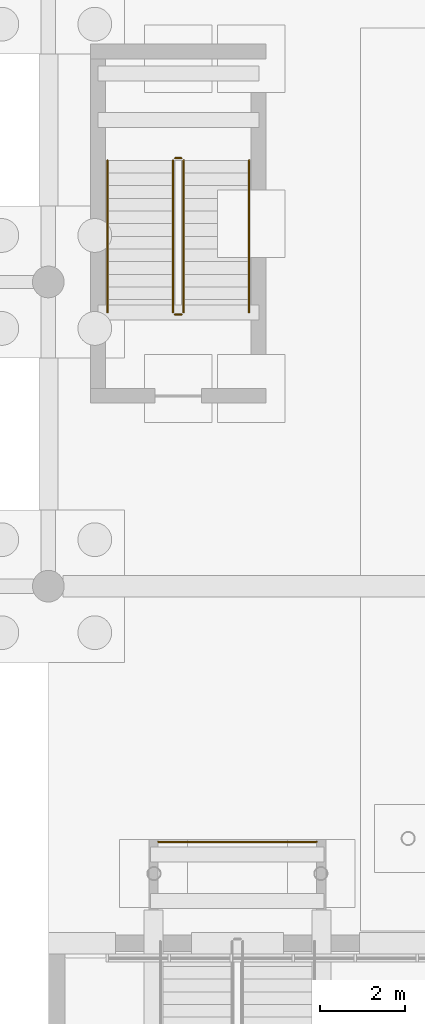
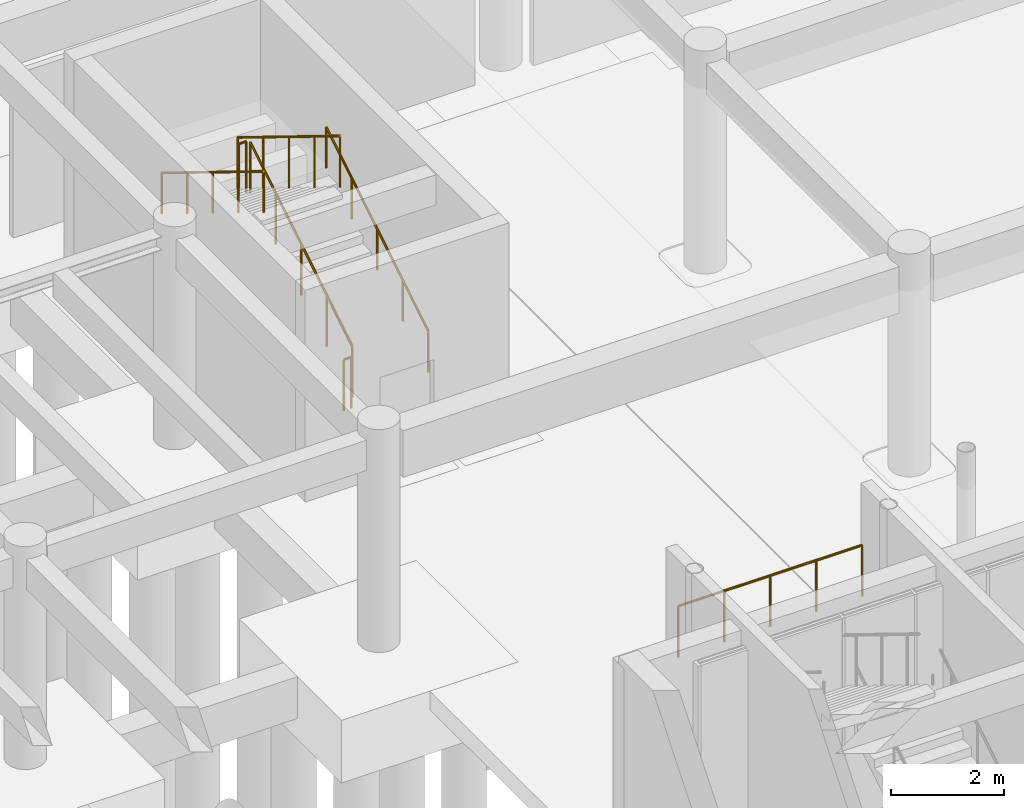
# One storey, part 36 of 46: 7 railings.
"""IFC4 building model written with IfcOpenShell, lengths in metres."""

from ifc_helpers import new_model, si_unit, direction, frame, origin, origin_2d, place, context, subcontext, project, spatial, circle, extrude, material, material_profile, profile_set, type_object, element, save


model = new_model("IFC4")

# Units and contexts
model_context = context("Model", 3, precision=1e-05, world=origin(), true_north=direction((0.0, 1.0)))
body_context = subcontext(model_context, "Body", "Model", "MODEL_VIEW")
ifc_project = project(units=[si_unit("LENGTHUNIT", "METRE"), si_unit("AREAUNIT", "SQUARE_METRE"), si_unit("VOLUMEUNIT", "CUBIC_METRE"), si_unit("PLANEANGLEUNIT", "RADIAN"), si_unit("MASSUNIT", "GRAM", prefix="KILO")], contexts=[model_context])

# Site, building, storey
site_placement = place(None, origin())
site = spatial("IfcSite", under=ifc_project, at=site_placement, CompositionType="ELEMENT")
building_placement = place(site_placement, origin())
building = spatial("IfcBuilding", under=site, at=building_placement, Name="Tazoul Stagehouse", CompositionType="ELEMENT")
storey_placement = place(building_placement, frame((0.0, 0.0, -4.800048828125)))
storey = spatial("IfcBuildingStorey", under=building, at=storey_placement, Name="B1", CompositionType="ELEMENT", Elevation=-4.800048828125)

# Railings
ifc_material = material(Name="Brushed Stainless Steel 316L", Category="steel")
ifc_material_profile_1 = material_profile(ifc_material, circle(Radius=0.02392578125, at=origin_2d()), Name="SS RAIL D48")
ifc_profile_set_1 = profile_set([ifc_material_profile_1], Name="Brushed Stainless Steel 316L")
railing_type_1 = type_object("IfcRailingType", Name="Architectural Guardrail H1120", PredefinedType="GUARDRAIL", material=ifc_profile_set_1)
railing_1_placement = place(storey_placement, frame((60.800048828125, 29.47998046875, 0.1845703125)))
element("IfcRailing", 1, at=railing_1_placement, inside=storey, type_object=railing_type_1, Name="B1 ST-B8 stair guard 1", PredefinedType="GUARDRAIL", context=body_context, shape_type="SweptSolid", body=[
    extrude(circle(Radius=0.02392578125, at=origin_2d()), frame((0.0, 0.0, 1.09619140625), z_axis=(0.0, 0.851644435552, 0.524119981868), x_axis=(-1.0, 0.0, 0.0)), (0.0, 0.0, 1.0), 4.227294921875),
    extrude(circle(Radius=0.02099609375, at=origin_2d()), origin(), (0.0, 0.0, 1.0), 1.072021484375),
    extrude(circle(Radius=0.02099609375, at=origin_2d()), frame((0.0, 0.89990234375, 0.553955078125)), (0.0, 0.0, 1.0), 1.072021484375),
    extrude(circle(Radius=0.02099609375, at=origin_2d()), frame((0.0, 1.800048828125, 1.10791015625)), (0.0, 0.0, 1.0), 1.072021484375),
    extrude(circle(Radius=0.02099609375, at=origin_2d()), frame((0.0, 2.7001953125, 1.66162109375)), (0.0, 0.0, 1.0), 1.072021484375),
    extrude(circle(Radius=0.02099609375, at=origin_2d()), frame((0.0, 3.60009765625, 2.215576171875)), (0.0, 0.0, 1.0), 1.072021484375),
])
railing_2_placement = place(storey_placement, frame((60.75, 33.1298828125, 2.400146484375)))
element("IfcRailing", 2, at=railing_2_placement, inside=storey, type_object=railing_type_1, Name="B1 ST-B8 stair guard 2", PredefinedType="GUARDRAIL", context=body_context, shape_type="SweptSolid", body=[
    extrude(circle(Radius=0.02392578125, at=origin_2d()), frame((0.0, 0.0, 1.09619140625), z_axis=(-1.0, 0.0, 0.0), x_axis=(0.0, -1.0, 0.0)), (0.0, 0.0, 1.0), 0.14990234375),
    extrude(circle(Radius=0.02099609375, at=origin_2d()), origin(), (0.0, 0.0, 1.0), 1.072021484375),
    extrude(circle(Radius=0.02099609375, at=origin_2d()), frame((-0.14990234375, 0.0, 0.0)), (0.0, 0.0, 1.0), 1.072021484375),
])
railing_3_placement = place(storey_placement, frame((60.550048828125, 33.080078125, 2.584716796875)))
element("IfcRailing", 3, at=railing_3_placement, inside=storey, type_object=railing_type_1, Name="B1 ST-B8 stair guard 3", PredefinedType="GUARDRAIL", context=body_context, shape_type="SweptSolid", body=[
    extrude(circle(Radius=0.02392578125, at=origin_2d()), frame((0.0, 0.0, 1.09619140625), z_axis=(0.0, -0.85167021472, 0.524078090897), x_axis=(1.0, 0.0, 0.0)), (0.0, 0.0, 1.0), 4.22705078125),
    extrude(circle(Radius=0.02099609375, at=origin_2d()), origin(), (0.0, 0.0, 1.0), 1.072021484375),
    extrude(circle(Radius=0.02099609375, at=origin_2d()), frame((0.0, -0.89990234375, 0.5537109375)), (0.0, 0.0, 1.0), 1.072021484375),
    extrude(circle(Radius=0.02099609375, at=origin_2d()), frame((0.0, -1.800048828125, 1.107666015625)), (0.0, 0.0, 1.0), 1.072021484375),
    extrude(circle(Radius=0.02099609375, at=origin_2d()), frame((0.0, -2.7001953125, 1.66162109375)), (0.0, 0.0, 1.0), 1.072021484375),
    extrude(circle(Radius=0.02099609375, at=origin_2d()), frame((0.0, -3.60009765625, 2.21533203125)), (0.0, 0.0, 1.0), 1.072021484375),
])
railing_4_placement = place(storey_placement, frame((60.75, 29.429931640625, 0.0)))
element("IfcRailing", 4, at=railing_4_placement, inside=storey, type_object=railing_type_1, Name="B1 ST-B8 stair guard 4", PredefinedType="GUARDRAIL", context=body_context, shape_type="SweptSolid", body=[
    extrude(circle(Radius=0.02392578125, at=origin_2d()), frame((0.0, 0.0, 1.09619140625), z_axis=(-1.0, 0.0, 0.0), x_axis=(0.0, -1.0, 0.0)), (0.0, 0.0, 1.0), 0.14990234375),
    extrude(circle(Radius=0.02099609375, at=origin_2d()), origin(), (0.0, 0.0, 1.0), 1.072021484375),
    extrude(circle(Radius=0.02099609375, at=origin_2d()), frame((-0.14990234375, 0.0, 0.0)), (0.0, 0.0, 1.0), 1.072021484375),
])
railing_5_placement = place(storey_placement, frame((63.949951171875, 16.949951171875, 2.400146484375)))
element("IfcRailing", 5, at=railing_5_placement, inside=storey, type_object=railing_type_1, Name="B1 ST-AMP-W stair guard 3", PredefinedType="GUARDRAIL", context=body_context, shape_type="SweptSolid", body=[
    extrude(circle(Radius=0.02392578125, at=origin_2d()), frame((0.0, 0.0, 1.09619140625), z_axis=(-1.0, 0.0, 0.0), x_axis=(0.0, -1.0, 0.0)), (0.0, 0.0, 1.0), 3.75),
    extrude(circle(Radius=0.02099609375, at=origin_2d()), origin(), (0.0, 0.0, 1.0), 1.072021484375),
    extrude(circle(Radius=0.02099609375, at=origin_2d()), frame((-0.9375, 0.0, 0.0)), (0.0, 0.0, 1.0), 1.072021484375),
    extrude(circle(Radius=0.02099609375, at=origin_2d()), frame((-1.875, 0.0, 0.0)), (0.0, 0.0, 1.0), 1.072021484375),
    extrude(circle(Radius=0.02099609375, at=origin_2d()), frame((-2.8125, 0.0, 0.0)), (0.0, 0.0, 1.0), 1.072021484375),
    extrude(circle(Radius=0.02099609375, at=origin_2d()), frame((-3.75, 0.0, 0.0)), (0.0, 0.0, 1.0), 1.072021484375),
])
ifc_material_profile_2 = material_profile(ifc_material, circle(Radius=0.02099609375, at=origin_2d()), Name="SS HANDRAIL D42")
ifc_profile_set_2 = profile_set([ifc_material_profile_2], Name="Brushed Stainless Steel 316L")
railing_type_2 = type_object("IfcRailingType", Name="Continuous Stair Handrail H900", PredefinedType="HANDRAIL", material=ifc_profile_set_2)
railing_6_placement = place(storey_placement, frame((62.35009765625, 29.47998046875, 0.1845703125)))
element("IfcRailing", 6, at=railing_6_placement, inside=storey, type_object=railing_type_2, Name="B1 ST-B8 stair handrail 1", PredefinedType="HANDRAIL", context=body_context, shape_type="SweptSolid", body=[
    extrude(circle(Radius=0.02392578125, at=origin_2d()), frame((0.0, 0.0, 0.8759765625), z_axis=(0.0, 0.851644435552, 0.524119981868), x_axis=(-1.0, 0.0, 0.0)), (0.0, 0.0, 1.0), 4.227294921875),
    extrude(circle(Radius=0.02099609375, at=origin_2d()), origin(), (0.0, 0.0, 1.0), 0.851806640625),
    extrude(circle(Radius=0.02099609375, at=origin_2d()), frame((0.0, 0.89990234375, 0.553955078125)), (0.0, 0.0, 1.0), 0.851806640625),
    extrude(circle(Radius=0.02099609375, at=origin_2d()), frame((0.0, 1.800048828125, 1.10791015625)), (0.0, 0.0, 1.0), 0.851806640625),
    extrude(circle(Radius=0.02099609375, at=origin_2d()), frame((0.0, 2.7001953125, 1.66162109375)), (0.0, 0.0, 1.0), 0.851806640625),
    extrude(circle(Radius=0.02099609375, at=origin_2d()), frame((0.0, 3.60009765625, 2.215576171875)), (0.0, 0.0, 1.0), 0.851806640625),
])
railing_7_placement = place(storey_placement, frame((59.0, 33.080078125, 2.584716796875)))
element("IfcRailing", 7, at=railing_7_placement, inside=storey, type_object=railing_type_2, Name="B1 ST-B8 stair handrail 2", PredefinedType="HANDRAIL", context=body_context, shape_type="SweptSolid", body=[
    extrude(circle(Radius=0.02392578125, at=origin_2d()), frame((0.0, 0.0, 0.8759765625), z_axis=(0.0, -0.85167021472, 0.524078090897), x_axis=(1.0, 0.0, 0.0)), (0.0, 0.0, 1.0), 4.22705078125),
    extrude(circle(Radius=0.02099609375, at=origin_2d()), origin(), (0.0, 0.0, 1.0), 0.851806640625),
    extrude(circle(Radius=0.02099609375, at=origin_2d()), frame((0.0, -0.89990234375, 0.5537109375)), (0.0, 0.0, 1.0), 0.851806640625),
    extrude(circle(Radius=0.02099609375, at=origin_2d()), frame((0.0, -1.800048828125, 1.107666015625)), (0.0, 0.0, 1.0), 0.851806640625),
    extrude(circle(Radius=0.02099609375, at=origin_2d()), frame((0.0, -2.7001953125, 1.66162109375)), (0.0, 0.0, 1.0), 0.851806640625),
    extrude(circle(Radius=0.02099609375, at=origin_2d()), frame((0.0, -3.60009765625, 2.21533203125)), (0.0, 0.0, 1.0), 0.851806640625),
])

save(model, "model.ifc")
